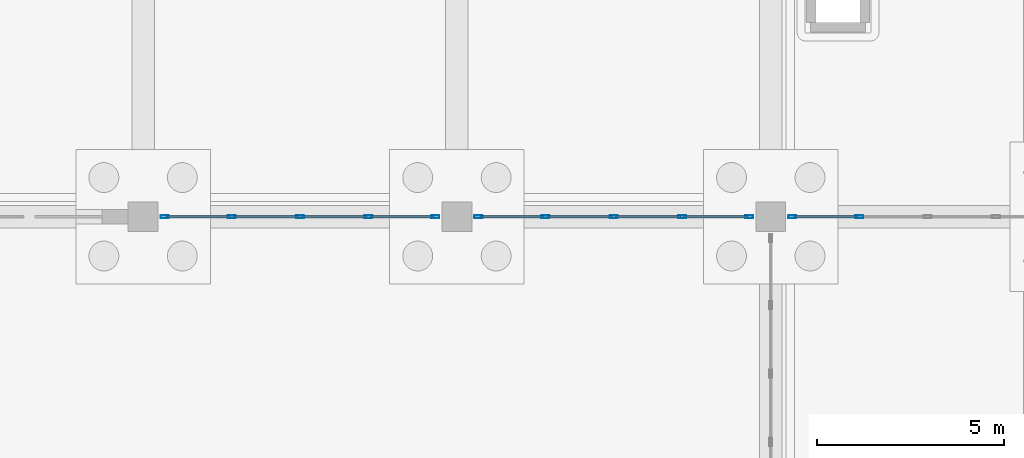
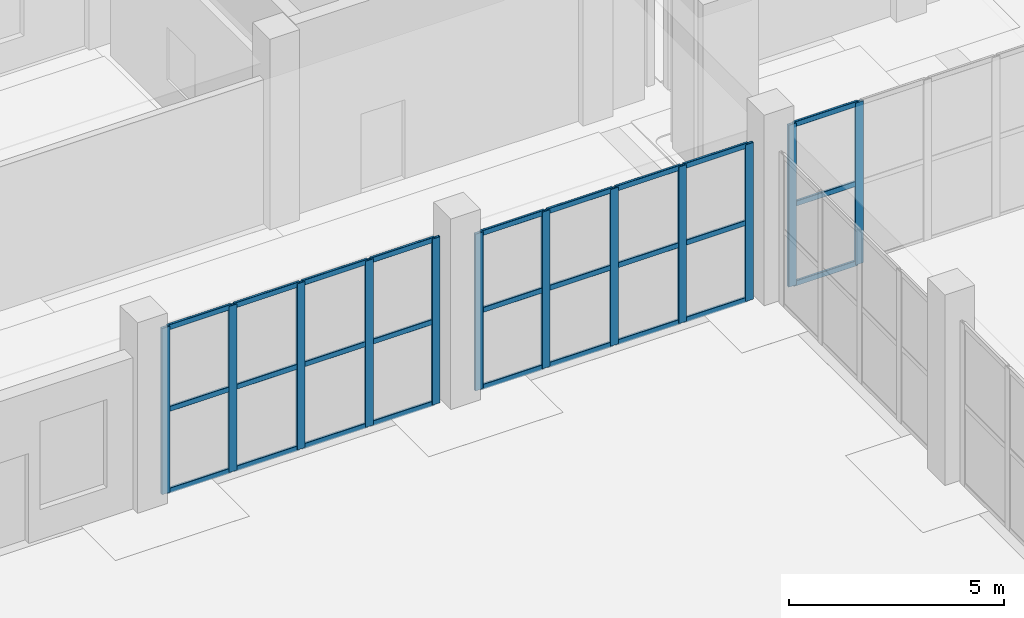
# One storey, part 23 of 65: 39 members, 3 elements without a shape of their own.
"""IFC4 building model written with IfcOpenShell, lengths in metres."""

from ifc_helpers import new_model, si_unit, direction, frame, origin, origin_2d, place, context, subcontext, project, spatial, hollow_rectangle, extrude, material, layer, layer_set, material_profile, profile_set, type_object, element, aggregate, save


model = new_model("IFC4")

# Units and contexts
model_context = context("Model", 3, precision=1e-05, world=origin(), true_north=direction((0.0, 1.0)))
body_context = subcontext(model_context, "Body", "Model", "MODEL_VIEW")
ifc_project = project(units=[si_unit("LENGTHUNIT", "METRE"), si_unit("AREAUNIT", "SQUARE_METRE"), si_unit("VOLUMEUNIT", "CUBIC_METRE"), si_unit("PLANEANGLEUNIT", "RADIAN"), si_unit("MASSUNIT", "GRAM", prefix="KILO")], contexts=[model_context])

# Site, building, storey
site_placement = place(None, origin())
site = spatial("IfcSite", under=ifc_project, at=site_placement, CompositionType="ELEMENT")
building_placement = place(site_placement, origin())
building = spatial("IfcBuilding", under=site, at=building_placement, Name="Zulmaris Art Gallery", CompositionType="ELEMENT")
storey_placement = place(building_placement, origin())
storey = spatial("IfcBuildingStorey", under=building, at=storey_placement, Name="L00", CompositionType="ELEMENT", Elevation=0.0)

# Curtain wall, members
ifc_material_1 = material(Name="Unitised Low-E Gallery Curtain Wall", Category="aluminium")
ifc_layer = layer(ifc_material_1, 0.179931640625)
ifc_layer_set = layer_set([ifc_layer], Name="Unitised Low-E Gallery Curtain Wall")
curtain_wall_type = type_object("IfcCurtainWallType", Name="CW-CW01", PredefinedType="NOTDEFINED", material=ifc_layer_set)
curtain_wall_1_placement = place(storey_placement, origin())
curtain_wall_1 = element("IfcCurtainWall", 1, at=curtain_wall_1_placement, inside=storey, type_object=curtain_wall_type, Name="L00 curtain wall 86", PredefinedType="NOTDEFINED")
ifc_material_2 = material(Name="Anodised Bronze Aluminium", Category="aluminium")
ifc_material_profile_1 = material_profile(ifc_material_2, hollow_rectangle(XDim=0.074951171875, YDim=0.219970703125, WallThickness=0.0048828125, InnerFilletRadius=0.007568359375, OuterFilletRadius=0.012451171875, at=origin_2d()), Name="ALU 75x220x5")
ifc_profile_set_1 = profile_set([ifc_material_profile_1], Name="Anodised Bronze Aluminium")
member_type_1 = type_object("IfcMemberType", Name="CWMUL-02", PredefinedType="MULLION", material=ifc_profile_set_1)
member_1_placement = place(storey_placement, frame((108.577392578125, 58.800048828125, 0.0), z_axis=(0.0, 0.0, 1.0), x_axis=(0.0, 1.0, 0.0)))
member_1 = element("IfcMember", 2, at=member_1_placement, type_object=member_type_1, Name="CW01 mullion 1", PredefinedType="MULLION", context=body_context, shape_type="SweptSolid", body=[
    extrude(hollow_rectangle(XDim=0.074951171875, YDim=0.219970703125, WallThickness=0.0048828125, InnerFilletRadius=0.007568359375, OuterFilletRadius=0.012451171875, at=origin_2d()), origin(), (0.0, 0.0, 1.0), 4.7099609375),
])
member_2_placement = place(storey_placement, frame((110.3701171875, 58.800048828125, 0.0), z_axis=(0.0, 0.0, 1.0), x_axis=(0.0, 1.0, 0.0)))
member_2 = element("IfcMember", 3, at=member_2_placement, type_object=member_type_1, Name="CW01 mullion 2", PredefinedType="MULLION", context=body_context, shape_type="SweptSolid", body=[
    extrude(hollow_rectangle(XDim=0.074951171875, YDim=0.219970703125, WallThickness=0.0048828125, InnerFilletRadius=0.007568359375, OuterFilletRadius=0.012451171875, at=origin_2d()), origin(), (0.0, 0.0, 1.0), 4.7099609375),
])
member_3_placement = place(storey_placement, frame((112.199951171875, 58.800048828125, 0.0), z_axis=(0.0, 0.0, 1.0), x_axis=(0.0, 1.0, 0.0)))
member_3 = element("IfcMember", 4, at=member_3_placement, type_object=member_type_1, Name="CW01 mullion 3", PredefinedType="MULLION", context=body_context, shape_type="SweptSolid", body=[
    extrude(hollow_rectangle(XDim=0.074951171875, YDim=0.219970703125, WallThickness=0.0048828125, InnerFilletRadius=0.007568359375, OuterFilletRadius=0.012451171875, at=origin_2d()), origin(), (0.0, 0.0, 1.0), 4.7099609375),
])
member_4_placement = place(storey_placement, frame((114.030029296875, 58.800048828125, 0.0), z_axis=(0.0, 0.0, 1.0), x_axis=(0.0, 1.0, 0.0)))
member_4 = element("IfcMember", 5, at=member_4_placement, type_object=member_type_1, Name="CW01 mullion 4", PredefinedType="MULLION", context=body_context, shape_type="SweptSolid", body=[
    extrude(hollow_rectangle(XDim=0.074951171875, YDim=0.219970703125, WallThickness=0.0048828125, InnerFilletRadius=0.007568359375, OuterFilletRadius=0.012451171875, at=origin_2d()), origin(), (0.0, 0.0, 1.0), 4.7099609375),
])
member_5_placement = place(storey_placement, frame((115.822509765625, 58.800048828125, 0.0), z_axis=(0.0, 0.0, 1.0), x_axis=(0.0, 1.0, 0.0)))
member_5 = element("IfcMember", 6, at=member_5_placement, type_object=member_type_1, Name="CW01 mullion 5", PredefinedType="MULLION", context=body_context, shape_type="SweptSolid", body=[
    extrude(hollow_rectangle(XDim=0.074951171875, YDim=0.219970703125, WallThickness=0.0048828125, InnerFilletRadius=0.007568359375, OuterFilletRadius=0.012451171875, at=origin_2d()), origin(), (0.0, 0.0, 1.0), 4.7099609375),
])

curtain_wall_2_placement = place(storey_placement, origin())
curtain_wall_2 = element("IfcCurtainWall", 7, at=curtain_wall_2_placement, inside=storey, type_object=curtain_wall_type, Name="L00 curtain wall 87", PredefinedType="NOTDEFINED")
member_6_placement = place(storey_placement, frame((116.9775390625, 58.800048828125, 0.0), z_axis=(0.0, 0.0, 1.0), x_axis=(0.0, 1.0, 0.0)))
member_6 = element("IfcMember", 8, at=member_6_placement, type_object=member_type_1, Name="CW01 mullion 1", PredefinedType="MULLION", context=body_context, shape_type="SweptSolid", body=[
    extrude(hollow_rectangle(XDim=0.074951171875, YDim=0.219970703125, WallThickness=0.0048828125, InnerFilletRadius=0.007568359375, OuterFilletRadius=0.012451171875, at=origin_2d()), origin(), (0.0, 0.0, 1.0), 4.43994140625),
])
member_7_placement = place(storey_placement, frame((118.77001953125, 58.800048828125, 0.0), z_axis=(0.0, 0.0, 1.0), x_axis=(0.0, 1.0, 0.0)))
member_7 = element("IfcMember", 9, at=member_7_placement, type_object=member_type_1, Name="CW01 mullion 2", PredefinedType="MULLION", context=body_context, shape_type="SweptSolid", body=[
    extrude(hollow_rectangle(XDim=0.074951171875, YDim=0.219970703125, WallThickness=0.0048828125, InnerFilletRadius=0.007568359375, OuterFilletRadius=0.012451171875, at=origin_2d()), origin(), (0.0, 0.0, 1.0), 4.43994140625),
])
member_8_placement = place(storey_placement, frame((120.60009765625, 58.800048828125, 0.0), z_axis=(0.0, 0.0, 1.0), x_axis=(0.0, 1.0, 0.0)))
member_8 = element("IfcMember", 10, at=member_8_placement, type_object=member_type_1, Name="CW01 mullion 3", PredefinedType="MULLION", context=body_context, shape_type="SweptSolid", body=[
    extrude(hollow_rectangle(XDim=0.074951171875, YDim=0.219970703125, WallThickness=0.0048828125, InnerFilletRadius=0.007568359375, OuterFilletRadius=0.012451171875, at=origin_2d()), origin(), (0.0, 0.0, 1.0), 4.43994140625),
])
member_9_placement = place(storey_placement, frame((122.429931640625, 58.800048828125, 0.0), z_axis=(0.0, 0.0, 1.0), x_axis=(0.0, 1.0, 0.0)))
member_9 = element("IfcMember", 11, at=member_9_placement, type_object=member_type_1, Name="CW01 mullion 4", PredefinedType="MULLION", context=body_context, shape_type="SweptSolid", body=[
    extrude(hollow_rectangle(XDim=0.074951171875, YDim=0.219970703125, WallThickness=0.0048828125, InnerFilletRadius=0.007568359375, OuterFilletRadius=0.012451171875, at=origin_2d()), origin(), (0.0, 0.0, 1.0), 4.43994140625),
])
member_10_placement = place(storey_placement, frame((124.222412109375, 58.800048828125, 0.0), z_axis=(0.0, 0.0, 1.0), x_axis=(0.0, 1.0, 0.0)))
member_10 = element("IfcMember", 12, at=member_10_placement, type_object=member_type_1, Name="CW01 mullion 5", PredefinedType="MULLION", context=body_context, shape_type="SweptSolid", body=[
    extrude(hollow_rectangle(XDim=0.074951171875, YDim=0.219970703125, WallThickness=0.0048828125, InnerFilletRadius=0.007568359375, OuterFilletRadius=0.012451171875, at=origin_2d()), origin(), (0.0, 0.0, 1.0), 4.43994140625),
])

curtain_wall_3_placement = place(storey_placement, origin())
curtain_wall_3 = element("IfcCurtainWall", 13, at=curtain_wall_3_placement, inside=storey, type_object=curtain_wall_type, Name="L00 curtain wall 88", PredefinedType="NOTDEFINED")
member_11_placement = place(storey_placement, frame((125.37744140625, 58.800048828125, 0.0), z_axis=(0.0, 0.0, 1.0), x_axis=(0.0, 1.0, 0.0)))
member_11 = element("IfcMember", 14, at=member_11_placement, type_object=member_type_1, Name="CW01 mullion 1", PredefinedType="MULLION", context=body_context, shape_type="SweptSolid", body=[
    extrude(hollow_rectangle(XDim=0.074951171875, YDim=0.219970703125, WallThickness=0.0048828125, InnerFilletRadius=0.007568359375, OuterFilletRadius=0.012451171875, at=origin_2d()), origin(), (0.0, 0.0, 1.0), 4.590087890625),
])
member_12_placement = place(storey_placement, frame((127.169921875, 58.800048828125, 0.0), z_axis=(0.0, 0.0, 1.0), x_axis=(0.0, 1.0, 0.0)))
member_12 = element("IfcMember", 15, at=member_12_placement, type_object=member_type_1, Name="CW01 mullion 2", PredefinedType="MULLION", context=body_context, shape_type="SweptSolid", body=[
    extrude(hollow_rectangle(XDim=0.074951171875, YDim=0.219970703125, WallThickness=0.0048828125, InnerFilletRadius=0.007568359375, OuterFilletRadius=0.012451171875, at=origin_2d()), origin(), (0.0, 0.0, 1.0), 4.590087890625),
])

# Member
ifc_material_profile_2 = material_profile(ifc_material_2, hollow_rectangle(XDim=0.06494140625, YDim=0.14990234375, WallThickness=0.00390625, InnerFilletRadius=0.006103515625, OuterFilletRadius=0.010009765625, at=origin_2d()), Name="ALU 65x150x4")
ifc_profile_set_2 = profile_set([ifc_material_profile_2], Name="Anodised Bronze Aluminium")
member_type_2 = type_object("IfcMemberType", Name="CWTRN-01", PredefinedType="USERDEFINED", material=ifc_profile_set_2)
member_13_placement = place(storey_placement, frame((108.614990234375, 58.800048828125, 0.03759765625), z_axis=(1.0, 0.0, 0.0), x_axis=(0.0, 1.0, 0.0)))
member_13 = element("IfcMember", 16, at=member_13_placement, type_object=member_type_2, Name="CW01 transom 1.1", ObjectType="TRANSOM", PredefinedType="USERDEFINED", context=body_context, shape_type="SweptSolid", body=[
    extrude(hollow_rectangle(XDim=0.06494140625, YDim=0.14990234375, WallThickness=0.00390625, InnerFilletRadius=0.006103515625, OuterFilletRadius=0.010009765625, at=origin_2d()), origin(), (0.0, 0.0, 1.0), 1.717529296875),
])

member_14_placement = place(storey_placement, frame((108.614990234375, 58.800048828125, 2.35498046875), z_axis=(1.0, 0.0, 0.0), x_axis=(0.0, 1.0, 0.0)))
member_14 = element("IfcMember", 17, at=member_14_placement, type_object=member_type_2, Name="CW01 transom 1.2", ObjectType="TRANSOM", PredefinedType="USERDEFINED", context=body_context, shape_type="SweptSolid", body=[
    extrude(hollow_rectangle(XDim=0.06494140625, YDim=0.14990234375, WallThickness=0.00390625, InnerFilletRadius=0.006103515625, OuterFilletRadius=0.010009765625, at=origin_2d()), origin(), (0.0, 0.0, 1.0), 1.717529296875),
])

member_15_placement = place(storey_placement, frame((108.614990234375, 58.800048828125, 4.672607421875), z_axis=(1.0, 0.0, 0.0), x_axis=(0.0, 1.0, 0.0)))
member_15 = element("IfcMember", 18, at=member_15_placement, type_object=member_type_2, Name="CW01 transom 1.3", ObjectType="TRANSOM", PredefinedType="USERDEFINED", context=body_context, shape_type="SweptSolid", body=[
    extrude(hollow_rectangle(XDim=0.06494140625, YDim=0.14990234375, WallThickness=0.00390625, InnerFilletRadius=0.006103515625, OuterFilletRadius=0.010009765625, at=origin_2d()), origin(), (0.0, 0.0, 1.0), 1.717529296875),
])

member_16_placement = place(storey_placement, frame((110.407470703125, 58.800048828125, 0.03759765625), z_axis=(1.0, 0.0, 0.0), x_axis=(0.0, 1.0, 0.0)))
member_16 = element("IfcMember", 19, at=member_16_placement, type_object=member_type_2, Name="CW01 transom 2.1", ObjectType="TRANSOM", PredefinedType="USERDEFINED", context=body_context, shape_type="SweptSolid", body=[
    extrude(hollow_rectangle(XDim=0.06494140625, YDim=0.14990234375, WallThickness=0.00390625, InnerFilletRadius=0.006103515625, OuterFilletRadius=0.010009765625, at=origin_2d()), origin(), (0.0, 0.0, 1.0), 1.755126953125),
])

member_17_placement = place(storey_placement, frame((110.407470703125, 58.800048828125, 2.35498046875), z_axis=(1.0, 0.0, 0.0), x_axis=(0.0, 1.0, 0.0)))
member_17 = element("IfcMember", 20, at=member_17_placement, type_object=member_type_2, Name="CW01 transom 2.2", ObjectType="TRANSOM", PredefinedType="USERDEFINED", context=body_context, shape_type="SweptSolid", body=[
    extrude(hollow_rectangle(XDim=0.06494140625, YDim=0.14990234375, WallThickness=0.00390625, InnerFilletRadius=0.006103515625, OuterFilletRadius=0.010009765625, at=origin_2d()), origin(), (0.0, 0.0, 1.0), 1.755126953125),
])

member_18_placement = place(storey_placement, frame((110.407470703125, 58.800048828125, 4.672607421875), z_axis=(1.0, 0.0, 0.0), x_axis=(0.0, 1.0, 0.0)))
member_18 = element("IfcMember", 21, at=member_18_placement, type_object=member_type_2, Name="CW01 transom 2.3", ObjectType="TRANSOM", PredefinedType="USERDEFINED", context=body_context, shape_type="SweptSolid", body=[
    extrude(hollow_rectangle(XDim=0.06494140625, YDim=0.14990234375, WallThickness=0.00390625, InnerFilletRadius=0.006103515625, OuterFilletRadius=0.010009765625, at=origin_2d()), origin(), (0.0, 0.0, 1.0), 1.755126953125),
])

member_19_placement = place(storey_placement, frame((112.237548828125, 58.800048828125, 0.03759765625), z_axis=(1.0, 0.0, 0.0), x_axis=(0.0, 1.0, 0.0)))
member_19 = element("IfcMember", 22, at=member_19_placement, type_object=member_type_2, Name="CW01 transom 3.1", ObjectType="TRANSOM", PredefinedType="USERDEFINED", context=body_context, shape_type="SweptSolid", body=[
    extrude(hollow_rectangle(XDim=0.06494140625, YDim=0.14990234375, WallThickness=0.00390625, InnerFilletRadius=0.006103515625, OuterFilletRadius=0.010009765625, at=origin_2d()), origin(), (0.0, 0.0, 1.0), 1.7548828125),
])

member_20_placement = place(storey_placement, frame((112.237548828125, 58.800048828125, 2.35498046875), z_axis=(1.0, 0.0, 0.0), x_axis=(0.0, 1.0, 0.0)))
member_20 = element("IfcMember", 23, at=member_20_placement, type_object=member_type_2, Name="CW01 transom 3.2", ObjectType="TRANSOM", PredefinedType="USERDEFINED", context=body_context, shape_type="SweptSolid", body=[
    extrude(hollow_rectangle(XDim=0.06494140625, YDim=0.14990234375, WallThickness=0.00390625, InnerFilletRadius=0.006103515625, OuterFilletRadius=0.010009765625, at=origin_2d()), origin(), (0.0, 0.0, 1.0), 1.7548828125),
])

member_21_placement = place(storey_placement, frame((112.237548828125, 58.800048828125, 4.672607421875), z_axis=(1.0, 0.0, 0.0), x_axis=(0.0, 1.0, 0.0)))
member_21 = element("IfcMember", 24, at=member_21_placement, type_object=member_type_2, Name="CW01 transom 3.3", ObjectType="TRANSOM", PredefinedType="USERDEFINED", context=body_context, shape_type="SweptSolid", body=[
    extrude(hollow_rectangle(XDim=0.06494140625, YDim=0.14990234375, WallThickness=0.00390625, InnerFilletRadius=0.006103515625, OuterFilletRadius=0.010009765625, at=origin_2d()), origin(), (0.0, 0.0, 1.0), 1.7548828125),
])

member_22_placement = place(storey_placement, frame((114.0673828125, 58.800048828125, 0.03759765625), z_axis=(1.0, 0.0, 0.0), x_axis=(0.0, 1.0, 0.0)))
member_22 = element("IfcMember", 25, at=member_22_placement, type_object=member_type_2, Name="CW01 transom 4.1", ObjectType="TRANSOM", PredefinedType="USERDEFINED", context=body_context, shape_type="SweptSolid", body=[
    extrude(hollow_rectangle(XDim=0.06494140625, YDim=0.14990234375, WallThickness=0.00390625, InnerFilletRadius=0.006103515625, OuterFilletRadius=0.010009765625, at=origin_2d()), origin(), (0.0, 0.0, 1.0), 1.717529296875),
])

member_23_placement = place(storey_placement, frame((114.0673828125, 58.800048828125, 2.35498046875), z_axis=(1.0, 0.0, 0.0), x_axis=(0.0, 1.0, 0.0)))
member_23 = element("IfcMember", 26, at=member_23_placement, type_object=member_type_2, Name="CW01 transom 4.2", ObjectType="TRANSOM", PredefinedType="USERDEFINED", context=body_context, shape_type="SweptSolid", body=[
    extrude(hollow_rectangle(XDim=0.06494140625, YDim=0.14990234375, WallThickness=0.00390625, InnerFilletRadius=0.006103515625, OuterFilletRadius=0.010009765625, at=origin_2d()), origin(), (0.0, 0.0, 1.0), 1.717529296875),
])

member_24_placement = place(storey_placement, frame((114.0673828125, 58.800048828125, 4.672607421875), z_axis=(1.0, 0.0, 0.0), x_axis=(0.0, 1.0, 0.0)))
member_24 = element("IfcMember", 27, at=member_24_placement, type_object=member_type_2, Name="CW01 transom 4.3", ObjectType="TRANSOM", PredefinedType="USERDEFINED", context=body_context, shape_type="SweptSolid", body=[
    extrude(hollow_rectangle(XDim=0.06494140625, YDim=0.14990234375, WallThickness=0.00390625, InnerFilletRadius=0.006103515625, OuterFilletRadius=0.010009765625, at=origin_2d()), origin(), (0.0, 0.0, 1.0), 1.717529296875),
])

aggregate(curtain_wall_1, [member_1, member_2, member_3, member_4, member_5, member_13, member_14, member_15, member_16, member_17, member_18, member_19, member_20, member_21, member_22, member_23, member_24])

member_25_placement = place(storey_placement, frame((117.014892578125, 58.800048828125, 0.03759765625), z_axis=(1.0, 0.0, 0.0), x_axis=(0.0, 1.0, 0.0)))
member_25 = element("IfcMember", 28, at=member_25_placement, type_object=member_type_2, Name="CW01 transom 1.1", ObjectType="TRANSOM", PredefinedType="USERDEFINED", context=body_context, shape_type="SweptSolid", body=[
    extrude(hollow_rectangle(XDim=0.06494140625, YDim=0.14990234375, WallThickness=0.00390625, InnerFilletRadius=0.006103515625, OuterFilletRadius=0.010009765625, at=origin_2d()), origin(), (0.0, 0.0, 1.0), 1.717529296875),
])

member_26_placement = place(storey_placement, frame((117.014892578125, 58.800048828125, 2.219970703125), z_axis=(1.0, 0.0, 0.0), x_axis=(0.0, 1.0, 0.0)))
member_26 = element("IfcMember", 29, at=member_26_placement, type_object=member_type_2, Name="CW01 transom 1.2", ObjectType="TRANSOM", PredefinedType="USERDEFINED", context=body_context, shape_type="SweptSolid", body=[
    extrude(hollow_rectangle(XDim=0.06494140625, YDim=0.14990234375, WallThickness=0.00390625, InnerFilletRadius=0.006103515625, OuterFilletRadius=0.010009765625, at=origin_2d()), origin(), (0.0, 0.0, 1.0), 1.717529296875),
])

member_27_placement = place(storey_placement, frame((117.014892578125, 58.800048828125, 4.402587890625), z_axis=(1.0, 0.0, 0.0), x_axis=(0.0, 1.0, 0.0)))
member_27 = element("IfcMember", 30, at=member_27_placement, type_object=member_type_2, Name="CW01 transom 1.3", ObjectType="TRANSOM", PredefinedType="USERDEFINED", context=body_context, shape_type="SweptSolid", body=[
    extrude(hollow_rectangle(XDim=0.06494140625, YDim=0.14990234375, WallThickness=0.00390625, InnerFilletRadius=0.006103515625, OuterFilletRadius=0.010009765625, at=origin_2d()), origin(), (0.0, 0.0, 1.0), 1.717529296875),
])

member_28_placement = place(storey_placement, frame((118.8076171875, 58.800048828125, 0.03759765625), z_axis=(1.0, 0.0, 0.0), x_axis=(0.0, 1.0, 0.0)))
member_28 = element("IfcMember", 31, at=member_28_placement, type_object=member_type_2, Name="CW01 transom 2.1", ObjectType="TRANSOM", PredefinedType="USERDEFINED", context=body_context, shape_type="SweptSolid", body=[
    extrude(hollow_rectangle(XDim=0.06494140625, YDim=0.14990234375, WallThickness=0.00390625, InnerFilletRadius=0.006103515625, OuterFilletRadius=0.010009765625, at=origin_2d()), origin(), (0.0, 0.0, 1.0), 1.7548828125),
])

member_29_placement = place(storey_placement, frame((118.8076171875, 58.800048828125, 2.219970703125), z_axis=(1.0, 0.0, 0.0), x_axis=(0.0, 1.0, 0.0)))
member_29 = element("IfcMember", 32, at=member_29_placement, type_object=member_type_2, Name="CW01 transom 2.2", ObjectType="TRANSOM", PredefinedType="USERDEFINED", context=body_context, shape_type="SweptSolid", body=[
    extrude(hollow_rectangle(XDim=0.06494140625, YDim=0.14990234375, WallThickness=0.00390625, InnerFilletRadius=0.006103515625, OuterFilletRadius=0.010009765625, at=origin_2d()), origin(), (0.0, 0.0, 1.0), 1.7548828125),
])

member_30_placement = place(storey_placement, frame((118.8076171875, 58.800048828125, 4.402587890625), z_axis=(1.0, 0.0, 0.0), x_axis=(0.0, 1.0, 0.0)))
member_30 = element("IfcMember", 33, at=member_30_placement, type_object=member_type_2, Name="CW01 transom 2.3", ObjectType="TRANSOM", PredefinedType="USERDEFINED", context=body_context, shape_type="SweptSolid", body=[
    extrude(hollow_rectangle(XDim=0.06494140625, YDim=0.14990234375, WallThickness=0.00390625, InnerFilletRadius=0.006103515625, OuterFilletRadius=0.010009765625, at=origin_2d()), origin(), (0.0, 0.0, 1.0), 1.7548828125),
])

member_31_placement = place(storey_placement, frame((120.637451171875, 58.800048828125, 0.03759765625), z_axis=(1.0, 0.0, 0.0), x_axis=(0.0, 1.0, 0.0)))
member_31 = element("IfcMember", 34, at=member_31_placement, type_object=member_type_2, Name="CW01 transom 3.1", ObjectType="TRANSOM", PredefinedType="USERDEFINED", context=body_context, shape_type="SweptSolid", body=[
    extrude(hollow_rectangle(XDim=0.06494140625, YDim=0.14990234375, WallThickness=0.00390625, InnerFilletRadius=0.006103515625, OuterFilletRadius=0.010009765625, at=origin_2d()), origin(), (0.0, 0.0, 1.0), 1.755126953125),
])

member_32_placement = place(storey_placement, frame((120.637451171875, 58.800048828125, 2.219970703125), z_axis=(1.0, 0.0, 0.0), x_axis=(0.0, 1.0, 0.0)))
member_32 = element("IfcMember", 35, at=member_32_placement, type_object=member_type_2, Name="CW01 transom 3.2", ObjectType="TRANSOM", PredefinedType="USERDEFINED", context=body_context, shape_type="SweptSolid", body=[
    extrude(hollow_rectangle(XDim=0.06494140625, YDim=0.14990234375, WallThickness=0.00390625, InnerFilletRadius=0.006103515625, OuterFilletRadius=0.010009765625, at=origin_2d()), origin(), (0.0, 0.0, 1.0), 1.755126953125),
])

member_33_placement = place(storey_placement, frame((120.637451171875, 58.800048828125, 4.402587890625), z_axis=(1.0, 0.0, 0.0), x_axis=(0.0, 1.0, 0.0)))
member_33 = element("IfcMember", 36, at=member_33_placement, type_object=member_type_2, Name="CW01 transom 3.3", ObjectType="TRANSOM", PredefinedType="USERDEFINED", context=body_context, shape_type="SweptSolid", body=[
    extrude(hollow_rectangle(XDim=0.06494140625, YDim=0.14990234375, WallThickness=0.00390625, InnerFilletRadius=0.006103515625, OuterFilletRadius=0.010009765625, at=origin_2d()), origin(), (0.0, 0.0, 1.0), 1.755126953125),
])

member_34_placement = place(storey_placement, frame((122.467529296875, 58.800048828125, 0.03759765625), z_axis=(1.0, 0.0, 0.0), x_axis=(0.0, 1.0, 0.0)))
member_34 = element("IfcMember", 37, at=member_34_placement, type_object=member_type_2, Name="CW01 transom 4.1", ObjectType="TRANSOM", PredefinedType="USERDEFINED", context=body_context, shape_type="SweptSolid", body=[
    extrude(hollow_rectangle(XDim=0.06494140625, YDim=0.14990234375, WallThickness=0.00390625, InnerFilletRadius=0.006103515625, OuterFilletRadius=0.010009765625, at=origin_2d()), origin(), (0.0, 0.0, 1.0), 1.717529296875),
])

member_35_placement = place(storey_placement, frame((122.467529296875, 58.800048828125, 2.219970703125), z_axis=(1.0, 0.0, 0.0), x_axis=(0.0, 1.0, 0.0)))
member_35 = element("IfcMember", 38, at=member_35_placement, type_object=member_type_2, Name="CW01 transom 4.2", ObjectType="TRANSOM", PredefinedType="USERDEFINED", context=body_context, shape_type="SweptSolid", body=[
    extrude(hollow_rectangle(XDim=0.06494140625, YDim=0.14990234375, WallThickness=0.00390625, InnerFilletRadius=0.006103515625, OuterFilletRadius=0.010009765625, at=origin_2d()), origin(), (0.0, 0.0, 1.0), 1.717529296875),
])

member_36_placement = place(storey_placement, frame((122.467529296875, 58.800048828125, 4.402587890625), z_axis=(1.0, 0.0, 0.0), x_axis=(0.0, 1.0, 0.0)))
member_36 = element("IfcMember", 39, at=member_36_placement, type_object=member_type_2, Name="CW01 transom 4.3", ObjectType="TRANSOM", PredefinedType="USERDEFINED", context=body_context, shape_type="SweptSolid", body=[
    extrude(hollow_rectangle(XDim=0.06494140625, YDim=0.14990234375, WallThickness=0.00390625, InnerFilletRadius=0.006103515625, OuterFilletRadius=0.010009765625, at=origin_2d()), origin(), (0.0, 0.0, 1.0), 1.717529296875),
])

aggregate(curtain_wall_2, [member_6, member_7, member_8, member_9, member_10, member_25, member_26, member_27, member_28, member_29, member_30, member_31, member_32, member_33, member_34, member_35, member_36])

member_37_placement = place(storey_placement, frame((125.4150390625, 58.800048828125, 0.03759765625), z_axis=(1.0, 0.0, 0.0), x_axis=(0.0, 1.0, 0.0)))
member_37 = element("IfcMember", 40, at=member_37_placement, type_object=member_type_2, Name="CW01 transom 1.1", ObjectType="TRANSOM", PredefinedType="USERDEFINED", context=body_context, shape_type="SweptSolid", body=[
    extrude(hollow_rectangle(XDim=0.06494140625, YDim=0.14990234375, WallThickness=0.00390625, InnerFilletRadius=0.006103515625, OuterFilletRadius=0.010009765625, at=origin_2d()), origin(), (0.0, 0.0, 1.0), 1.717529296875),
])

member_38_placement = place(storey_placement, frame((125.4150390625, 58.800048828125, 2.294921875), z_axis=(1.0, 0.0, 0.0), x_axis=(0.0, 1.0, 0.0)))
member_38 = element("IfcMember", 41, at=member_38_placement, type_object=member_type_2, Name="CW01 transom 1.2", ObjectType="TRANSOM", PredefinedType="USERDEFINED", context=body_context, shape_type="SweptSolid", body=[
    extrude(hollow_rectangle(XDim=0.06494140625, YDim=0.14990234375, WallThickness=0.00390625, InnerFilletRadius=0.006103515625, OuterFilletRadius=0.010009765625, at=origin_2d()), origin(), (0.0, 0.0, 1.0), 1.717529296875),
])

member_39_placement = place(storey_placement, frame((125.4150390625, 58.800048828125, 4.552490234375), z_axis=(1.0, 0.0, 0.0), x_axis=(0.0, 1.0, 0.0)))
member_39 = element("IfcMember", 42, at=member_39_placement, type_object=member_type_2, Name="CW01 transom 1.3", ObjectType="TRANSOM", PredefinedType="USERDEFINED", context=body_context, shape_type="SweptSolid", body=[
    extrude(hollow_rectangle(XDim=0.06494140625, YDim=0.14990234375, WallThickness=0.00390625, InnerFilletRadius=0.006103515625, OuterFilletRadius=0.010009765625, at=origin_2d()), origin(), (0.0, 0.0, 1.0), 1.717529296875),
])

aggregate(curtain_wall_3, [member_11, member_12, member_37, member_38, member_39])

save(model, "model.ifc")
